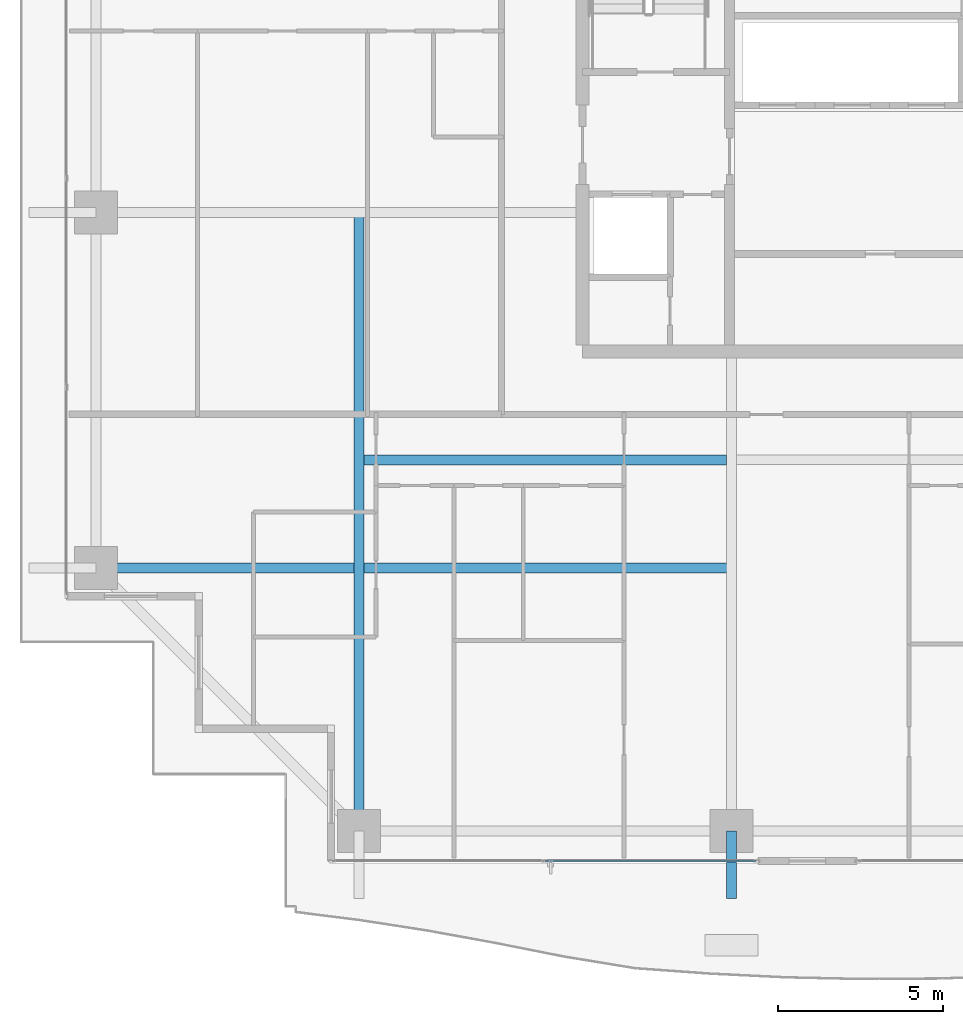
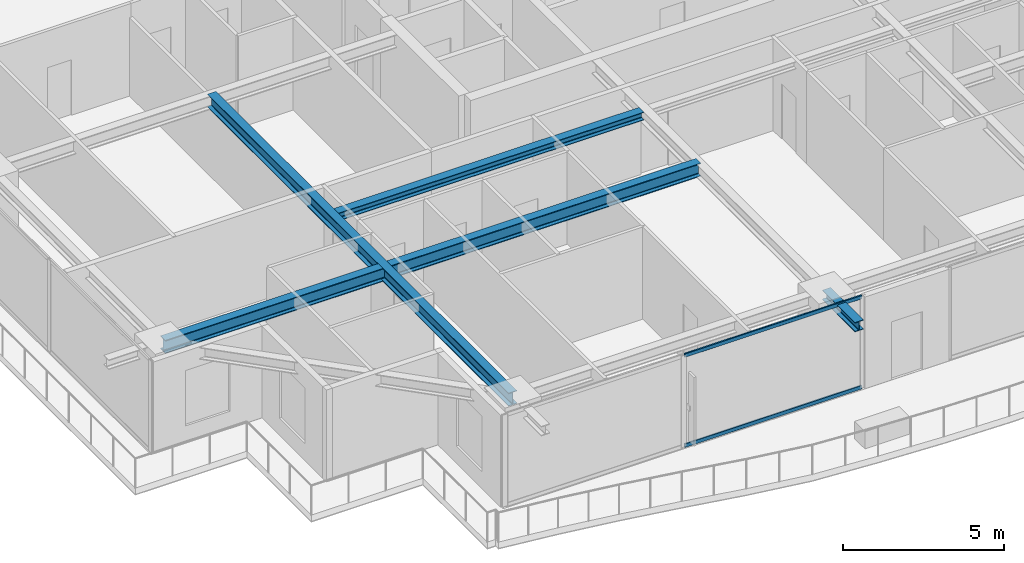
# One storey, part 4 of 36: 4 beams, 2 members, 1 element without a shape of its own.
"""IFC4 building model written with IfcOpenShell, lengths in metres."""

from ifc_helpers import new_model, si_unit, direction, frame, origin, origin_2d, place, context, subcontext, project, spatial, hollow_rectangle, i_section, extrude, source, transform, mapped, material, layer, layer_set, material_profile, profile_set, type_object, element, aggregate, save


model = new_model("IFC4")

# Units and contexts
model_context = context("Model", 3, precision=1e-05, world=origin(), true_north=direction((0.0, 1.0)))
body_context = subcontext(model_context, "Body", "Model", "MODEL_VIEW")
ifc_project = project(units=[si_unit("LENGTHUNIT", "METRE"), si_unit("AREAUNIT", "SQUARE_METRE"), si_unit("VOLUMEUNIT", "CUBIC_METRE"), si_unit("PLANEANGLEUNIT", "RADIAN"), si_unit("MASSUNIT", "GRAM", prefix="KILO")], contexts=[model_context])

# Site, building, storey
site_placement = place(None, origin())
site = spatial("IfcSite", under=ifc_project, at=site_placement, CompositionType="ELEMENT")
building_placement = place(site_placement, origin())
building = spatial("IfcBuilding", under=site, at=building_placement, Name="Serunith Strait Residences", CompositionType="ELEMENT")
storey_placement = place(building_placement, frame((0.0, 0.0, 146.39990234375)))
storey = spatial("IfcBuildingStorey", under=building, at=storey_placement, Name="L36", CompositionType="ELEMENT", Elevation=146.39990234375)

# Beams
ifc_material_1 = material(Name="Steel S355J2", Category="steel")
ifc_material_profile_1 = material_profile(ifc_material_1, i_section(OverallWidth=0.300048828125, OverallDepth=0.5, WebThickness=0.014404296875, FlangeThickness=0.028076171875, FilletRadius=0.027099609375, at=origin_2d()), Name="HEB 500")
ifc_profile_set_1 = profile_set([ifc_material_profile_1], Name="Steel S355J2")
beam_type_1 = type_object("IfcBeamType", Name="BM-HEB500", PredefinedType="BEAM", material=ifc_profile_set_1)
shared_shape_1 = source(origin(), body_context, "Body", "SweptSolid", [
    extrude(i_section(OverallWidth=0.300048828125, OverallDepth=0.5, WebThickness=0.014404296875, FlangeThickness=0.028076171875, FilletRadius=0.027099609375, at=origin_2d()), origin(), (0.0, 0.0, 1.0), 18.699951171875),
])
beam_1_placement = place(storey_placement, frame((16.64990234375, 21.0, 3.237060546875), z_axis=(0.0, -1.0, 0.0), x_axis=(1.0, 0.0, 0.0)))
element("IfcBeam", 1, at=beam_1_placement, inside=storey, type_object=beam_type_1, Name="L36 Orthogonal Corner Girder TC-S1", PredefinedType="BEAM", context=body_context, shape_type="MappedRepresentation", body=[
    mapped(shared_shape_1, transform((0.0, 0.0, 0.0), scale=1.0)),
])
shared_shape_2 = source(origin(), body_context, "Body", "SweptSolid", [
    extrude(i_section(OverallWidth=0.300048828125, OverallDepth=0.5, WebThickness=0.014404296875, FlangeThickness=0.028076171875, FilletRadius=0.027099609375, at=origin_2d()), origin(), (0.0, 0.0, 1.0), 19.199951171875),
])
beam_2_placement = place(storey_placement, frame((27.89990234375, 10.25, 3.237060546875), z_axis=(-1.0, 0.0, 0.0), x_axis=(0.0, -1.0, 0.0)))
element("IfcBeam", 2, at=beam_2_placement, inside=storey, type_object=beam_type_1, Name="L36 Orthogonal Corner Girder TC-W1", PredefinedType="BEAM", context=body_context, shape_type="MappedRepresentation", body=[
    mapped(shared_shape_2, transform((0.0, 0.0, 0.0), scale=1.0)),
])
ifc_material_profile_2 = material_profile(ifc_material_1, i_section(OverallWidth=0.300048828125, OverallDepth=0.360107421875, WebThickness=0.012451171875, FlangeThickness=0.0224609375, FilletRadius=0.027099609375, at=origin_2d()), Name="HEB 360")
ifc_profile_set_2 = profile_set([ifc_material_profile_2], Name="Steel S355J2")
beam_type_2 = type_object("IfcBeamType", Name="BM-HEB360", PredefinedType="BEAM", material=ifc_profile_set_2)
shared_shape_3 = source(origin(), body_context, "Body", "SweptSolid", [
    extrude(i_section(OverallWidth=0.300048828125, OverallDepth=0.360107421875, WebThickness=0.012451171875, FlangeThickness=0.0224609375, FilletRadius=0.027099609375, at=origin_2d()), origin(), (0.0, 0.0, 1.0), 2.030029296875),
])
beam_3_placement = place(storey_placement, frame((27.89990234375, 2.300048828125, 3.277099609375), z_axis=(0.0, -1.0, 0.0), x_axis=(1.0, 0.0, 0.0)))
element("IfcBeam", 3, at=beam_3_placement, inside=storey, type_object=beam_type_2, Name="L37 Cantilevered Balcony Rib TC-S2", PredefinedType="BEAM", context=body_context, shape_type="MappedRepresentation", body=[
    mapped(shared_shape_3, transform((0.0, 0.0, 0.0), scale=1.0)),
])
ifc_material_profile_3 = material_profile(ifc_material_1, i_section(OverallWidth=0.300048828125, OverallDepth=0.300048828125, WebThickness=0.010986328125, FlangeThickness=0.01904296875, FilletRadius=0.027099609375, at=origin_2d()), Name="HEB 300")
ifc_profile_set_3 = profile_set([ifc_material_profile_3], Name="Steel S355J2")
beam_type_3 = type_object("IfcBeamType", Name="BM-HEB300", PredefinedType="JOIST", material=ifc_profile_set_3)
shared_shape_4 = source(origin(), body_context, "Body", "SweptSolid", [
    extrude(i_section(OverallWidth=0.300048828125, OverallDepth=0.300048828125, WebThickness=0.010986328125, FlangeThickness=0.01904296875, FilletRadius=0.027099609375, at=origin_2d()), origin(), (0.0, 0.0, 1.0), 10.949951171875),
])
beam_4_placement = place(storey_placement, frame((16.800048828125, 13.52490234375, 3.337158203125), z_axis=(1.0, 0.0, 0.0), x_axis=(0.0, 1.0, 0.0)))
element("IfcBeam", 4, at=beam_4_placement, inside=storey, type_object=beam_type_3, Name="L36 Composite Floor Joist 01", PredefinedType="JOIST", context=body_context, shape_type="MappedRepresentation", body=[
    mapped(shared_shape_4, transform((0.0, 0.0, 0.0), scale=1.0)),
])

# Curtain wall, members
ifc_material_2 = material(Name="Pale-Champagne Anodised Aluminium", Category="aluminium")
ifc_layer = layer(ifc_material_2, 0.199951171875, Name="Pale-Champagne Anodised Aluminium")
ifc_layer_set = layer_set([ifc_layer], Name="Pale-Champagne Anodised Aluminium")
curtain_wall_type = type_object("IfcCurtainWallType", Name="CW-SYS2", PredefinedType="NOTDEFINED", material=ifc_layer_set)
curtain_wall_placement = place(storey_placement, origin())
curtain_wall = element("IfcCurtainWall", 5, at=curtain_wall_placement, inside=storey, type_object=curtain_wall_type, Name="L36 S Unitised Fritted Curtain Wall", PredefinedType="NOTDEFINED")
ifc_material_profile_4 = material_profile(ifc_material_2, hollow_rectangle(XDim=0.06005859375, YDim=0.139892578125, WallThickness=0.00341796875, InnerFilletRadius=0.00537109375, OuterFilletRadius=0.0087890625, at=origin_2d()), Name="ALU 140x60x3.5")
ifc_profile_set_4 = profile_set([ifc_material_profile_4], Name="Pale-Champagne Anodised Aluminium")
member_type = type_object("IfcMemberType", Name="CW-SYS2-TRAN", PredefinedType="USERDEFINED", material=ifc_profile_set_4)
shared_shape_5 = source(origin(), body_context, "Body", "SweptSolid", [
    extrude(hollow_rectangle(XDim=0.06005859375, YDim=0.139892578125, WallThickness=0.00341796875, InnerFilletRadius=0.00537109375, OuterFilletRadius=0.0087890625, at=origin_2d()), origin(), (0.0, 0.0, 1.0), 6.344970703125),
])
member_1_placement = place(storey_placement, frame((22.284912109375, 1.39990234375, 0.030029296875), z_axis=(1.0, 0.0, 0.0), x_axis=(0.0, 1.0, 0.0)))
member_1 = element("IfcMember", 6, at=member_1_placement, type_object=member_type, Name="CW-2 transom 2.1", ObjectType="TRANSOM", PredefinedType="USERDEFINED", context=body_context, shape_type="MappedRepresentation", body=[
    mapped(shared_shape_5, transform((0.0, 0.0, 0.0), scale=1.0)),
])
member_2_placement = place(storey_placement, frame((22.284912109375, 1.39990234375, 3.445068359375), z_axis=(1.0, 0.0, 0.0), x_axis=(0.0, 1.0, 0.0)))
member_2 = element("IfcMember", 7, at=member_2_placement, type_object=member_type, Name="CW-2 transom 2.2", ObjectType="TRANSOM", PredefinedType="USERDEFINED", context=body_context, shape_type="MappedRepresentation", body=[
    mapped(shared_shape_5, transform((0.0, 0.0, 0.0), scale=1.0)),
])
aggregate(curtain_wall, [member_1, member_2])

save(model, "model.ifc")
